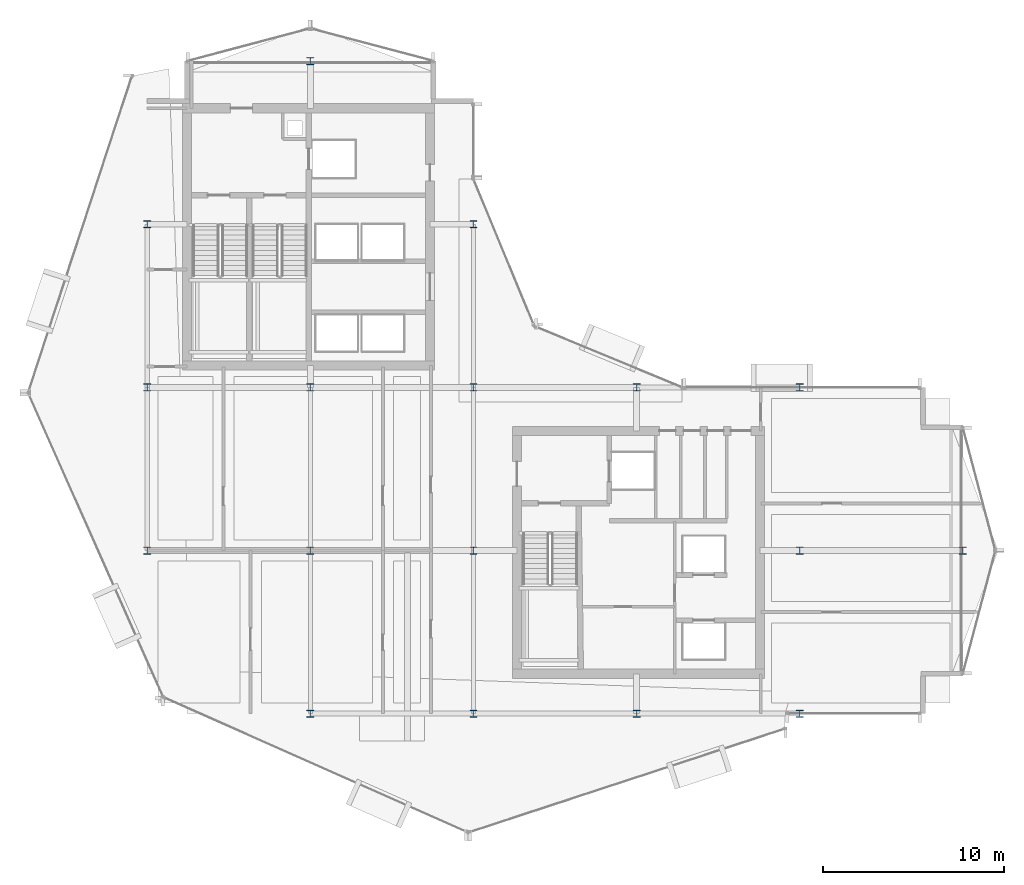
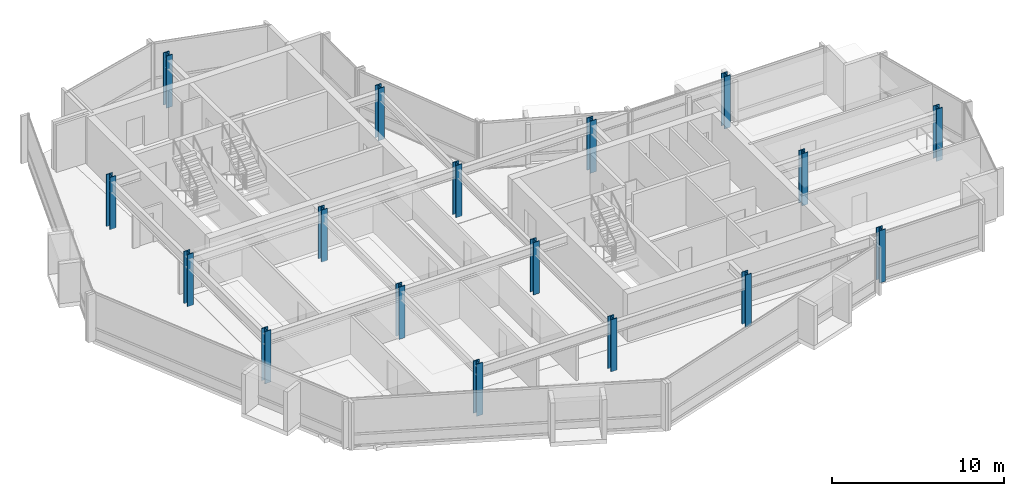
# One storey, part 1 of 27: 17 columns.
"""IFC4 building model written with IfcOpenShell, lengths in metres."""

import ifcopenshell
import ifcopenshell.guid

model = None  # the IFC model being written
_history = None  # IfcOwnerHistory: only IFC2X3 demands one
_inside = {}  # id of a spatial element -> (the spatial element, [elements in it])
_under = {}  # id of a project, library or spatial element -> (it, [spatial elements below it])
_declared = {}  # id of a project -> (the project, [libraries it declares])
_typed = {}  # id of a type object -> (the type object, [elements of that type])
_made_of = {}  # id of a material, layer set ... -> (it, [elements and type objects made of it])


def new_model(schema):
    """Start an empty IFC model of exactly this schema.

    Asked for "IFC4X3", IfcOpenShell would pick the latest addendum, in which some entities
    have other attributes; the version numbers below select the first issue.
    IFC2X3 requires an IfcOwnerHistory on every rooted entity: one is made here for all.
    """
    global model, _history
    if schema == "IFC4X3":
        model = ifcopenshell.file(schema_version=(4, 3, 0, 0))
    else:
        model = ifcopenshell.file(schema=schema)
    _inside.clear()
    _under.clear()
    _declared.clear()
    _typed.clear()
    _made_of.clear()
    _history = None
    if model.schema == "IFC2X3":
        org = make("IfcOrganization", Name="unknown")
        user = make(
            "IfcPersonAndOrganization",
            ThePerson=make("IfcPerson", FamilyName="unknown"),
            TheOrganization=org,
        )
        app = make(
            "IfcApplication",
            ApplicationDeveloper=org,
            Version="unknown",
            ApplicationFullName="unknown",
            ApplicationIdentifier="unknown",
        )
        _history = make(
            "IfcOwnerHistory",
            OwningUser=user,
            OwningApplication=app,
            ChangeAction="ADDED",
            CreationDate=0,
        )
    return model


def make(cls, **values):
    """One entity of the class cls with the attributes given. An attribute that is None is left unset."""
    return model.create_entity(
        cls, **{name: value for name, value in values.items() if value is not None}
    )


def rooted(cls, **values):
    """An entity with a GlobalId (a new one), such as an element, a storey or a relation."""
    return make(cls, GlobalId=ifcopenshell.guid.new(), OwnerHistory=_history, **values)


def si_unit(unit_type, name, prefix=None):
    """IfcSIUnit, for example si_unit("LENGTHUNIT", "METRE", prefix="MILLI")."""
    return make("IfcSIUnit", UnitType=unit_type, Prefix=prefix, Name=name)


def assignment(units):
    """IfcUnitAssignment: the units of a project."""
    return None if units is None else make("IfcUnitAssignment", Units=units)


def point(xyz):
    """IfcCartesianPoint."""
    return None if xyz is None else make("IfcCartesianPoint", Coordinates=xyz)


def direction(xyz):
    """IfcDirection."""
    return None if xyz is None else make("IfcDirection", DirectionRatios=xyz)


def frame(location, z_axis=None, x_axis=None):
    """IfcAxis2Placement3D, a coordinate frame: its origin and axes. An axis left out is left unset."""
    return make(
        "IfcAxis2Placement3D",
        Location=point(location),
        Axis=direction(z_axis),
        RefDirection=direction(x_axis),
    )


def frame_2d(location, x_axis=None):
    """IfcAxis2Placement2D, a coordinate frame in the plane: its origin and x axis."""
    return make(
        "IfcAxis2Placement2D", Location=point(location), RefDirection=direction(x_axis)
    )


def origin():
    """The frame at (0, 0, 0) with its axes left unset."""
    return frame((0.0, 0.0, 0.0))


def origin_2d():
    """The frame at (0, 0) in the plane with its x axis left unset."""
    return frame_2d((0.0, 0.0))


def place(relative_to, where):
    """IfcLocalPlacement: puts the frame where relative to a parent placement (None: the world)."""
    return make(
        "IfcLocalPlacement", PlacementRelTo=relative_to, RelativePlacement=where
    )


def context(
    kind, dimensions, precision=None, world=None, true_north=None, identifier=None
):
    """IfcGeometricRepresentationContext, for example the 3D "Model" context."""
    return make(
        "IfcGeometricRepresentationContext",
        ContextIdentifier=identifier,
        ContextType=kind,
        CoordinateSpaceDimension=dimensions,
        Precision=precision,
        WorldCoordinateSystem=world,
        TrueNorth=true_north,
    )


def subcontext(parent, identifier, kind, view, scale=None):
    """IfcGeometricRepresentationSubContext, for example "Body" below "Model"."""
    return make(
        "IfcGeometricRepresentationSubContext",
        ContextIdentifier=identifier,
        ContextType=kind,
        ParentContext=parent,
        TargetScale=scale,
        TargetView=view,
    )


def project(units=None, contexts=None):
    """IfcProject with its units and contexts."""
    return rooted(
        "IfcProject",
        Name="project",
        RepresentationContexts=contexts,
        UnitsInContext=assignment(units),
    )


def spatial(cls, under=None, at=None, **own):
    """A site, building, storey or space (cls), placed at a placement, below another one or the project."""
    s = rooted(cls, ObjectPlacement=at, **own)
    if under is not None:
        _under.setdefault(under.id(), (under, []))[1].append(s)
    return s


def profile(cls, at=None, kind="AREA", **sizes):
    """A parametric profile (cls). Its sizes go by their IFC names, for example OverallWidth=200.0."""
    return make(cls, ProfileType=kind, Position=at, **sizes)


def i_section(**sizes):
    """IfcIShapeProfileDef."""
    return profile("IfcIShapeProfileDef", **sizes)


def extrude(swept, where, along, depth):
    """IfcExtrudedAreaSolid: the profile swept, set in the frame where, extruded along a direction by depth."""
    return make(
        "IfcExtrudedAreaSolid",
        SweptArea=swept,
        Position=where,
        ExtrudedDirection=direction(along),
        Depth=depth,
    )


def shape(context_of_items, identifier, shape_type, items):
    """IfcShapeRepresentation: the items that make up one representation, for example the "Body"."""
    return make(
        "IfcShapeRepresentation",
        ContextOfItems=context_of_items,
        RepresentationIdentifier=identifier,
        RepresentationType=shape_type,
        Items=items,
    )


def material(Name=None, Category=None):
    """IfcMaterial."""
    return make("IfcMaterial", Name=Name, Category=Category)


def material_profile(
    of_material, cross_section, Name=None, Category=None, Priority=None
):
    """IfcMaterialProfile: a cross section and its material."""
    return make(
        "IfcMaterialProfile",
        Name=Name,
        Material=of_material,
        Profile=cross_section,
        Priority=Priority,
        Category=Category,
    )


def profile_set(profiles, Name=None, composite=None):
    """IfcMaterialProfileSet."""
    return make(
        "IfcMaterialProfileSet",
        Name=Name,
        MaterialProfiles=profiles,
        CompositeProfile=composite,
    )


def made_of(thing, what):
    """Note that an element or type object is made of a material, layer set ...; save() writes the relation."""
    if what is not None:
        _made_of.setdefault(what.id(), (what, []))[1].append(thing)
    return thing


def type_object(cls, material=None, **own):
    """A type object (cls), such as IfcWallType, which elements share."""
    return made_of(rooted(cls, **own), material)


def element(
    cls,
    number,
    at=None,
    inside=None,
    cuts=None,
    type_object=None,
    material=None,
    context=None,
    identifier="Body",
    shape_type=None,
    held_by="IfcProductDefinitionShape",
    body=None,
    shapes=None,
    **own,
):
    """One element of the class cls, such as IfcWall. Its Tag is "e" and its number.

    at: its placement. inside: the storey or other place that contains it. cuts: it is an
    opening in that element (IfcRelVoidsElement). A single representation is given by context,
    identifier, shape_type and body (its items); several are given by shapes. held_by: the class
    of the entity that holds the representations. save() writes the other relations.
    """
    e = rooted(cls, Tag="e%d" % number, ObjectPlacement=at, **own)
    if body is not None:
        shapes = [shape(context, identifier, shape_type, body)]
    if shapes is not None:
        e.Representation = make(held_by, Representations=shapes)
    if inside is not None:
        _inside.setdefault(inside.id(), (inside, []))[1].append(e)
    if cuts is not None:
        rooted(
            "IfcRelVoidsElement", RelatingBuildingElement=cuts, RelatedOpeningElement=e
        )
    if type_object is not None:
        _typed.setdefault(type_object.id(), (type_object, []))[1].append(e)
    return made_of(e, material)


def aggregate(whole, parts):
    """IfcRelAggregates: a whole, such as a stair, and the parts it consists of."""
    return rooted("IfcRelAggregates", RelatingObject=whole, RelatedObjects=parts)


def save(model, path):
    """Write the relations noted so far, then the file.

    IfcRelAggregates (storeys below a building ...), IfcRelContainedInSpatialStructure (elements
    in a storey), IfcRelDefinesByType, IfcRelAssociatesMaterial and IfcRelDeclares: one each for
    every whole, place, type object, material and project.
    """
    for whole, parts in _under.values():
        aggregate(whole, parts)
    for where, things in _inside.values():
        rooted(
            "IfcRelContainedInSpatialStructure",
            RelatedElements=things,
            RelatingStructure=where,
        )
    for kind, things in _typed.values():
        rooted("IfcRelDefinesByType", RelatedObjects=things, RelatingType=kind)
    for what, things in _made_of.values():
        rooted("IfcRelAssociatesMaterial", RelatedObjects=things, RelatingMaterial=what)
    for by, libraries in _declared.values():
        rooted("IfcRelDeclares", RelatingContext=by, RelatedDefinitions=libraries)
    model.write(path)


model = new_model("IFC4")

# Units and contexts
model_context = context("Model", 3, precision=1e-05, world=origin(), true_north=direction((0.0, 1.0)))
body_context = subcontext(model_context, "Body", "Model", "MODEL_VIEW")
ifc_project = project(units=[si_unit("LENGTHUNIT", "METRE"), si_unit("AREAUNIT", "SQUARE_METRE"), si_unit("VOLUMEUNIT", "CUBIC_METRE"), si_unit("PLANEANGLEUNIT", "RADIAN"), si_unit("MASSUNIT", "GRAM", prefix="KILO")], contexts=[model_context])

# Site, building, storey
site_placement = place(None, origin())
site = spatial("IfcSite", under=ifc_project, at=site_placement, CompositionType="ELEMENT")
building_placement = place(site_placement, origin())
building = spatial("IfcBuilding", under=site, at=building_placement, Name="Solvaryn Broadcast Tower", CompositionType="ELEMENT")
storey_placement = place(building_placement, frame((0.0, 0.0, 192.699951171875)))
storey = spatial("IfcBuildingStorey", under=building, at=storey_placement, Name="L48", CompositionType="ELEMENT", Elevation=192.699951171875)

# Columns
ifc_material_1 = material(Name="Steel ASTM A913 Grade 65", Category="steel")
ifc_material_profile_1 = material_profile(ifc_material_1, i_section(OverallWidth=0.406005859375, OverallDepth=0.416015625, WebThickness=0.02978515625, FlangeThickness=0.048095703125, FilletRadius=0.014892578125, at=origin_2d()))
ifc_profile_set_1 = profile_set([ifc_material_profile_1], Name="Steel ASTM A913 Grade 65")
column_type_1 = type_object("IfcColumnType", Name="COL-C07E-W14X257", PredefinedType="COLUMN", material=ifc_profile_set_1)
for number, where, z_axis, x_axis, name in (
    (1, (9.0, 18.0, 0.0), (0.0, 0.0, 1.0), (1.0, 0.0, 0.0), "L48 Column (9.0, 18.0)"),
    (2, (9.0, 27.0, 0.0), (0.0, 0.0, 1.0), (1.0, 0.0, 0.0), "L48 Column (9.0, 27.0)"),
    (3, (9.0, 36.0, 0.0), (0.0, 0.0, 1.0), (1.0, 0.0, 0.0), "L48 Column (9.0, 36.0)"),
    (4, (18.0, 9.0, 0.0), (0.0, 0.0, 1.0), (1.0, 0.0, 0.0), "L48 Column (18.0, 9.0)"),
    (5, (18.0, 45.0, 0.0), (0.0, 0.0, 1.0), (1.0, 0.0, 0.0), "L48 Column (18.0, 45.0)"),
    (6, (27.0, 9.0, 0.0), (0.0, 0.0, 1.0), (1.0, 0.0, 0.0), "L48 Column (27.0, 9.0)"),
    (7, (27.0, 36.0, 0.0), (0.0, 0.0, 1.0), (1.0, 0.0, 0.0), "L48 Column (27.0, 36.0)"),
    (8, (36.0, 9.0, 0.0), (0.0, 0.0, 1.0), (1.0, 0.0, 0.0), "L48 Column (36.0, 9.0)"),
    (9, (36.0, 27.0, 0.0), (0.0, 0.0, 1.0), (1.0, 0.0, 0.0), "L48 Column (36.0, 27.0)"),
    (10, (45.0, 9.0, 0.0), (0.0, 0.0, 1.0), (1.0, 0.0, 0.0), "L48 Column (45.0, 9.0)"),
    (11, (45.0, 27.0, 0.0), (0.0, 0.0, 1.0), (1.0, 0.0, 0.0), "L48 Column (45.0, 27.0)"),
    (12, (54.0, 18.0, 0.0), (0.0, 0.0, 1.0), (1.0, 0.0, 0.0), "L48 Column (54.0, 18.0)"),
):
    element("IfcColumn", number, at=place(storey_placement, frame(where, z_axis=z_axis, x_axis=x_axis)), inside=storey, type_object=column_type_1, Name=name, PredefinedType="COLUMN", context=body_context, shape_type="SweptSolid", body=[
        extrude(i_section(OverallWidth=0.406005859375, OverallDepth=0.416015625, WebThickness=0.02978515625, FlangeThickness=0.048095703125, FilletRadius=0.014892578125, at=origin_2d()), origin(), (0.0, 0.0, 1.0), 3.699951171875),
    ])
ifc_material_2 = material(Name="Steel ASTM A913 Grade 65", Category="steel")
ifc_material_profile_2 = material_profile(ifc_material_2, i_section(OverallWidth=0.406005859375, OverallDepth=0.416015625, WebThickness=0.02978515625, FlangeThickness=0.048095703125, FilletRadius=0.014892578125, at=origin_2d()))
ifc_profile_set_2 = profile_set([ifc_material_profile_2], Name="Steel ASTM A913 Grade 65")
column_type_2 = type_object("IfcColumnType", Name="COL-C07I-W14X257", PredefinedType="COLUMN", material=ifc_profile_set_2)
for number, where, z_axis, x_axis, name in (
    (13, (18.0, 18.0, 0.0), (0.0, 0.0, 1.0), (1.0, 0.0, 0.0), "L48 Column (18.0, 18.0)"),
    (14, (18.0, 27.0, 0.0), (0.0, 0.0, 1.0), (1.0, 0.0, 0.0), "L48 Column (18.0, 27.0)"),
    (15, (27.0, 18.0, 0.0), (0.0, 0.0, 1.0), (1.0, 0.0, 0.0), "L48 Column (27.0, 18.0)"),
    (16, (27.0, 27.0, 0.0), (0.0, 0.0, 1.0), (1.0, 0.0, 0.0), "L48 Column (27.0, 27.0)"),
    (17, (45.0, 18.0, 0.0), (0.0, 0.0, 1.0), (1.0, 0.0, 0.0), "L48 Column (45.0, 18.0)"),
):
    element("IfcColumn", number, at=place(storey_placement, frame(where, z_axis=z_axis, x_axis=x_axis)), inside=storey, type_object=column_type_2, Name=name, PredefinedType="COLUMN", context=body_context, shape_type="SweptSolid", body=[
        extrude(i_section(OverallWidth=0.406005859375, OverallDepth=0.416015625, WebThickness=0.02978515625, FlangeThickness=0.048095703125, FilletRadius=0.014892578125, at=origin_2d()), origin(), (0.0, 0.0, 1.0), 3.699951171875),
    ])

save(model, "model.ifc")
